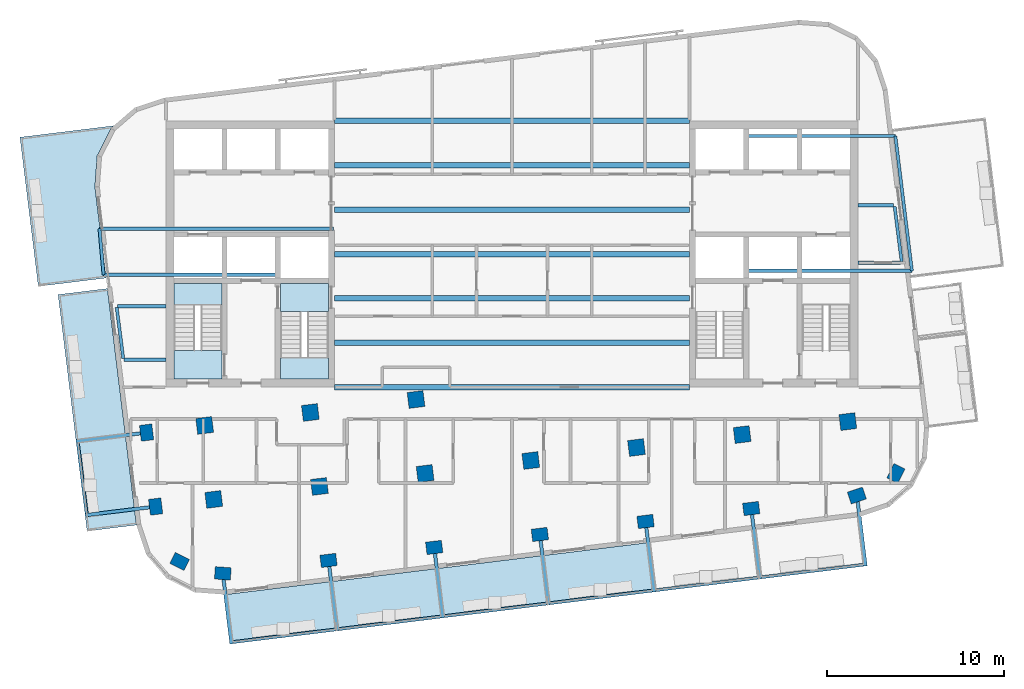
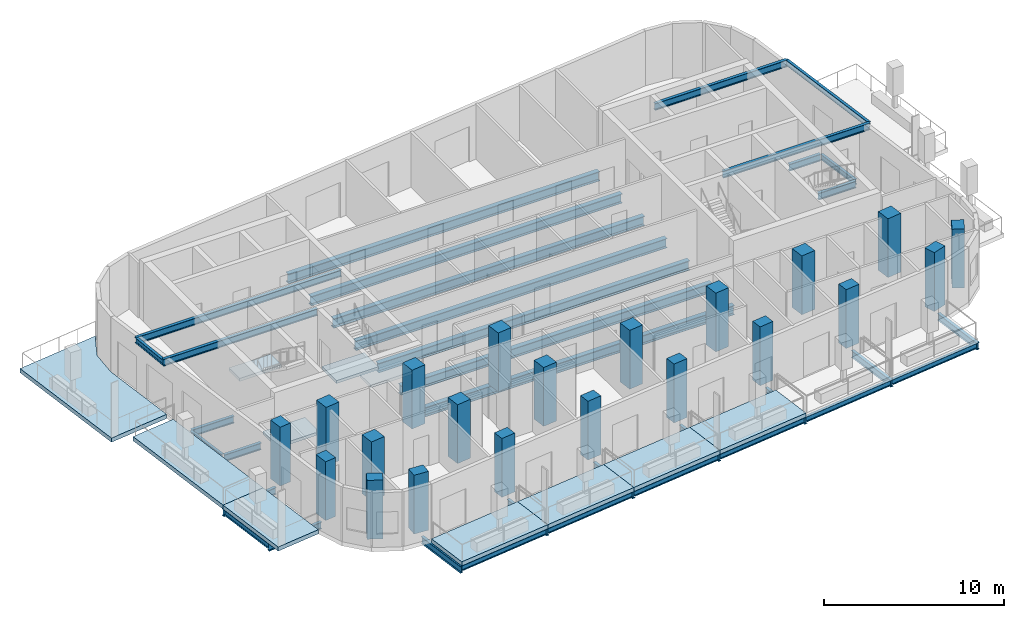
# One storey, part 1 of 11: 35 beams, 21 columns, 11 slabs, 2 elements without a shape of their own.
"""IFC4 building model written with IfcOpenShell, lengths in metres."""

from ifc_helpers import new_model, si_unit, direction, frame, origin, origin_2d, place, context, subcontext, project, spatial, polyline, rectangle, i_section, outline, extrude, material, layer, layer_set, material_profile, profile_set, type_object, element, aggregate, save


model = new_model("IFC4")

# Units and contexts
model_context = context("Model", 3, precision=1e-05, world=origin(), true_north=direction((0.0, 1.0)))
body_context = subcontext(model_context, "Body", "Model", "MODEL_VIEW")
ifc_project = project(units=[si_unit("LENGTHUNIT", "METRE"), si_unit("AREAUNIT", "SQUARE_METRE"), si_unit("VOLUMEUNIT", "CUBIC_METRE"), si_unit("PLANEANGLEUNIT", "RADIAN"), si_unit("MASSUNIT", "GRAM", prefix="KILO")], contexts=[model_context])

# Site, building, storey
site_placement = place(None, origin())
site = spatial("IfcSite", under=ifc_project, at=site_placement, CompositionType="ELEMENT")
building_placement = place(site_placement, origin())
building = spatial("IfcBuilding", under=site, at=building_placement, Name="Torana Hotel and Residences", CompositionType="ELEMENT")
storey_placement = place(building_placement, frame((0.0, 0.0, 326.60009765625)))
storey = spatial("IfcBuildingStorey", under=building, at=storey_placement, Name="L86", CompositionType="ELEMENT", Elevation=326.60009765625)

# Columns
ifc_material_1 = material(Name="Concrete C45/55", Category="concrete")
ifc_material_profile_1 = material_profile(ifc_material_1, rectangle(XDim=0.89990234375, YDim=0.699951171875, at=origin_2d()), Name="RC 900x700")
ifc_profile_set_1 = profile_set([ifc_material_profile_1], Name="Concrete C45/55")
column_type_1 = type_object("IfcColumnType", Name="COLUMN RC 900x700 C45/55", PredefinedType="COLUMN", material=ifc_profile_set_1)
for number, where, z_axis, x_axis, name in (
    (1, (-20.593017578125, -17.56201171875, 0.0), (0.0, 0.0, 1.0), (-0.121869343405, 0.992546151641, 0.0), "Column L86"),
    (2, (-20.0810546875, -21.73095703125, 0.0), (0.0, 0.0, 1.0), (-0.121869343405, 0.992546151641, 0.0), "Column L86"),
    (3, (-18.72802734375, -24.822998046875, 0.0), (0.0, 0.0, 1.0), (-0.892978943411, 0.450098441037, 0.0), "Column L86"),
    (4, (-16.2939453125, -25.4970703125, 0.0), (0.0, 0.0, 1.0), (-0.997251478385, 0.074091084885, 0.0), "Column L86"),
    (5, (-10.337890625, -24.76611328125, 0.0), (0.0, 0.0, 1.0), (0.992546151641, 0.121869343405, 0.0), "Column L86"),
    (6, (-4.383056640625, -24.034912109375, 0.0), (0.0, 0.0, 1.0), (0.992546151641, 0.121869343405, 0.0), "Column L86"),
    (7, (1.572021484375, -23.303955078125, 0.0), (0.0, 0.0, 1.0), (0.992546151641, 0.121869343405, 0.0), "Column L86"),
    (8, (7.527099609375, -22.572998046875, 0.0), (0.0, 0.0, 1.0), (0.992546151641, 0.121869343405, 0.0), "Column L86"),
    (9, (13.48291015625, -21.841064453125, 0.0), (0.0, 0.0, 1.0), (0.992546151641, 0.121869343405, 0.0), "Column L86"),
    (10, (19.43798828125, -21.110107421875, 0.0), (0.0, 0.0, 1.0), (0.949693660318, 0.313180381813, 0.0), "Column L86"),
    (11, (21.635986328125, -19.865966796875, 0.0), (0.0, 0.0, 1.0), (0.450098441037, 0.892978943411, 0.0), "Column L86"),
):
    element("IfcColumn", number, at=place(storey_placement, frame(where, z_axis=z_axis, x_axis=x_axis)), inside=storey, type_object=column_type_1, Name=name, PredefinedType="COLUMN", context=body_context, shape_type="SweptSolid", body=[
        extrude(rectangle(XDim=0.89990234375, YDim=0.699951171875, at=origin_2d()), origin(), (0.0, 0.0, 1.0), 4.0),
    ])
ifc_material_2 = material(Name="Concrete C45/55", Category="concrete")
ifc_material_profile_2 = material_profile(ifc_material_2, rectangle(XDim=0.89990234375, YDim=0.89990234375, at=origin_2d()), Name="RC 900x900")
ifc_profile_set_2 = profile_set([ifc_material_profile_2], Name="Concrete C45/55")
column_type_2 = type_object("IfcColumnType", Name="COLUMN RC 900x900 C45/55", PredefinedType="COLUMN", material=ifc_profile_set_2)
for number, where, z_axis, x_axis, name in (
    (12, (-17.31689453125, -17.159912109375, 0.0), (0.0, 0.0, 1.0), (0.992546151641, 0.121869343405, 0.0), "Column L86"),
    (13, (-16.805908203125, -21.3291015625, 0.0), (0.0, 0.0, 1.0), (0.992546151641, 0.121869343405, 0.0), "Column L86"),
    (14, (-11.362060546875, -16.428955078125, 0.0), (0.0, 0.0, 1.0), (0.992546151641, 0.121869343405, 0.0), "Column L86"),
    (15, (-10.85009765625, -20.597900390625, 0.0), (0.0, 0.0, 1.0), (0.992546151641, 0.121869343405, 0.0), "Column L86"),
    (16, (-5.406982421875, -15.697998046875, 0.0), (0.0, 0.0, 1.0), (0.992546151641, 0.121869343405, 0.0), "Column L86"),
    (17, (-4.89501953125, -19.865966796875, 0.0), (0.0, 0.0, 1.0), (0.992546151641, 0.121869343405, 0.0), "Column L86"),
    (18, (1.06005859375, -19.135009765625, 0.0), (0.0, 0.0, 1.0), (0.992546151641, 0.121869343405, 0.0), "Column L86"),
    (19, (7.01611328125, -18.404052734375, 0.0), (0.0, 0.0, 1.0), (0.992546151641, 0.121869343405, 0.0), "Column L86"),
    (20, (12.970947265625, -17.673095703125, 0.0), (0.0, 0.0, 1.0), (0.992546151641, 0.121869343405, 0.0), "Column L86"),
    (21, (18.926025390625, -16.94189453125, 0.0), (0.0, 0.0, 1.0), (0.992546151641, 0.121869343405, 0.0), "Column L86"),
):
    element("IfcColumn", number, at=place(storey_placement, frame(where, z_axis=z_axis, x_axis=x_axis)), inside=storey, type_object=column_type_2, Name=name, PredefinedType="COLUMN", context=body_context, shape_type="SweptSolid", body=[
        extrude(rectangle(XDim=0.89990234375, YDim=0.89990234375, at=origin_2d()), origin(), (0.0, 0.0, 1.0), 4.0),
    ])

# Beams
ifc_material_3 = material(Name="Steel S355", Category="steel")
ifc_material_profile_3 = material_profile(ifc_material_3, i_section(OverallWidth=0.19287109375, OverallDepth=0.46728515625, WebThickness=0.011474609375, FlangeThickness=0.01953125, FilletRadius=0.01025390625, at=origin_2d()), Name="457x191x98 UB")
ifc_profile_set_3 = profile_set([ifc_material_profile_3], Name="Steel S355")
beam_type_1 = type_object("IfcBeamType", Name="BALCONY CANTILEVER BEAM 457x191x98 UB", PredefinedType="BEAM", material=ifc_profile_set_3)
beam_1_placement = place(storey_placement, frame((-16.251708984375, -25.84130859375, -0.513671875), z_axis=(0.12194557952, -0.992536788051, 0.0), x_axis=(0.992536788051, 0.12194557952, 0.0)))
element("IfcBeam", 22, at=beam_1_placement, inside=storey, type_object=beam_type_1, Name="Balcony cantilever beam", PredefinedType="BEAM", context=body_context, shape_type="SweptSolid", body=[
    extrude(i_section(OverallWidth=0.19287109375, OverallDepth=0.46728515625, WebThickness=0.011474609375, FlangeThickness=0.01953125, FilletRadius=0.01025390625, at=origin_2d()), origin(), (0.0, 0.0, 1.0), 3.65380859375),
])
beam_2_placement = place(storey_placement, frame((-10.296630859375, -25.103515625, -0.513671875), z_axis=(0.121727603609, -0.992563544827, 0.0), x_axis=(0.992563544827, 0.121727603609, 0.0)))
element("IfcBeam", 23, at=beam_2_placement, inside=storey, type_object=beam_type_1, Name="Balcony cantilever beam", PredefinedType="BEAM", context=body_context, shape_type="SweptSolid", body=[
    extrude(i_section(OverallWidth=0.19287109375, OverallDepth=0.46728515625, WebThickness=0.011474609375, FlangeThickness=0.01953125, FilletRadius=0.01025390625, at=origin_2d()), origin(), (0.0, 0.0, 1.0), 3.66015625),
])
beam_3_placement = place(storey_placement, frame((-4.341552734375, -24.37255859375, -0.513671875), z_axis=(0.121809442808, -0.992553504675, 0.0), x_axis=(0.992553504675, 0.121809442808, 0.0)))
element("IfcBeam", 24, at=beam_3_placement, inside=storey, type_object=beam_type_1, Name="Balcony cantilever beam", PredefinedType="BEAM", context=body_context, shape_type="SweptSolid", body=[
    extrude(i_section(OverallWidth=0.19287109375, OverallDepth=0.46728515625, WebThickness=0.011474609375, FlangeThickness=0.01953125, FilletRadius=0.01025390625, at=origin_2d()), origin(), (0.0, 0.0, 1.0), 3.659912109375),
])
for number, where, z_axis, x_axis, name in (
    (25, (1.61328125, -23.6416015625, -0.513671875), (0.121948950891, -0.99253637383, 0.0), (0.99253637383, 0.121948950891, 0.0), "Balcony cantilever beam"),
    (26, (7.568359375, -22.910400390625, -0.513671875), (0.122014669663, -0.992528297021, 0.0), (0.992528297021, 0.122014669663, 0.0), "Balcony cantilever beam"),
):
    element("IfcBeam", number, at=place(storey_placement, frame(where, z_axis=z_axis, x_axis=x_axis)), inside=storey, type_object=beam_type_1, Name=name, PredefinedType="BEAM", context=body_context, shape_type="SweptSolid", body=[
        extrude(i_section(OverallWidth=0.19287109375, OverallDepth=0.46728515625, WebThickness=0.011474609375, FlangeThickness=0.01953125, FilletRadius=0.01025390625, at=origin_2d()), origin(), (0.0, 0.0, 1.0), 3.65966796875),
    ])
beam_4_placement = place(storey_placement, frame((13.5244140625, -22.178466796875, -0.513671875), z_axis=(0.12179331453, -0.992555483858, 0.0), x_axis=(0.992555483858, 0.12179331453, 0.0)))
element("IfcBeam", 27, at=beam_4_placement, inside=storey, type_object=beam_type_1, Name="Balcony cantilever beam", PredefinedType="BEAM", context=body_context, shape_type="SweptSolid", body=[
    extrude(i_section(OverallWidth=0.19287109375, OverallDepth=0.46728515625, WebThickness=0.011474609375, FlangeThickness=0.01953125, FilletRadius=0.01025390625, at=origin_2d()), origin(), (0.0, 0.0, 1.0), 3.660400390625),
])
beam_5_placement = place(storey_placement, frame((19.480224609375, -21.454345703125, -0.513671875), z_axis=(0.12183008487, -0.992550971195, 0.0), x_axis=(0.992550971195, 0.12183008487, 0.0)))
element("IfcBeam", 28, at=beam_5_placement, inside=storey, type_object=beam_type_1, Name="Balcony cantilever beam", PredefinedType="BEAM", context=body_context, shape_type="SweptSolid", body=[
    extrude(i_section(OverallWidth=0.19287109375, OverallDepth=0.46728515625, WebThickness=0.011474609375, FlangeThickness=0.01953125, FilletRadius=0.01025390625, at=origin_2d()), origin(), (0.0, 0.0, 1.0), 3.653076171875),
])
for number, where, z_axis, x_axis, name in (
    (29, (-20.930419921875, -17.603515625, -0.513671875), (-0.992537365838, -0.121940876722, 0.0), (0.121940876722, -0.992537365838, 0.0), "Balcony cantilever beam"),
    (30, (-20.41845703125, -21.7724609375, -0.513671875), (-0.992545437366, -0.121875160566, 0.0), (0.121875160566, -0.992545437366, 0.0), "Balcony cantilever beam"),
):
    element("IfcBeam", number, at=place(storey_placement, frame(where, z_axis=z_axis, x_axis=x_axis)), inside=storey, type_object=beam_type_1, Name=name, PredefinedType="BEAM", context=body_context, shape_type="SweptSolid", body=[
        extrude(i_section(OverallWidth=0.19287109375, OverallDepth=0.46728515625, WebThickness=0.011474609375, FlangeThickness=0.01953125, FilletRadius=0.01025390625, at=origin_2d()), origin(), (0.0, 0.0, 1.0), 3.659912109375),
    ])
beam_6_placement = place(storey_placement, frame((-19.489990234375, -13.449951171875, -0.513671875), z_axis=(-1.0, 0.0, 0.0), x_axis=(0.0, -1.0, 0.0)))
element("IfcBeam", 31, at=beam_6_placement, inside=storey, type_object=beam_type_1, Name="Balcony cantilever beam", PredefinedType="BEAM", context=body_context, shape_type="SweptSolid", body=[
    extrude(i_section(OverallWidth=0.19287109375, OverallDepth=0.46728515625, WebThickness=0.011474609375, FlangeThickness=0.01953125, FilletRadius=0.01025390625, at=origin_2d()), origin(), (0.0, 0.0, 1.0), 2.360107421875),
])
beam_7_placement = place(storey_placement, frame((-19.489990234375, -10.449951171875, -0.513671875), z_axis=(-1.0, 0.0, 0.0), x_axis=(0.0, -1.0, 0.0)))
element("IfcBeam", 32, at=beam_7_placement, inside=storey, type_object=beam_type_1, Name="Balcony cantilever beam", PredefinedType="BEAM", context=body_context, shape_type="SweptSolid", body=[
    extrude(i_section(OverallWidth=0.19287109375, OverallDepth=0.46728515625, WebThickness=0.011474609375, FlangeThickness=0.01953125, FilletRadius=0.01025390625, at=origin_2d()), origin(), (0.0, 0.0, 1.0), 2.728515625),
])
beam_8_placement = place(storey_placement, frame((19.489990234375, -8.0, -0.513671875), z_axis=(1.0, 0.0, 0.0), x_axis=(0.0, 1.0, 0.0)))
element("IfcBeam", 33, at=beam_8_placement, inside=storey, type_object=beam_type_1, Name="Balcony cantilever beam", PredefinedType="BEAM", context=body_context, shape_type="SweptSolid", body=[
    extrude(i_section(OverallWidth=0.19287109375, OverallDepth=0.46728515625, WebThickness=0.011474609375, FlangeThickness=0.01953125, FilletRadius=0.01025390625, at=origin_2d()), origin(), (0.0, 0.0, 1.0), 2.41552734375),
])
beam_9_placement = place(storey_placement, frame((19.489990234375, -4.75, -0.513671875), z_axis=(1.0, 0.0, 0.0), x_axis=(0.0, 1.0, 0.0)))
element("IfcBeam", 34, at=beam_9_placement, inside=storey, type_object=beam_type_1, Name="Balcony cantilever beam", PredefinedType="BEAM", context=body_context, shape_type="SweptSolid", body=[
    extrude(i_section(OverallWidth=0.19287109375, OverallDepth=0.46728515625, WebThickness=0.011474609375, FlangeThickness=0.01953125, FilletRadius=0.01025390625, at=origin_2d()), origin(), (0.0, 0.0, 1.0), 2.016357421875),
])
beam_10_placement = place(storey_placement, frame((-23.013916015625, -8.669921875, 3.486328125), z_axis=(1.0, 0.0, 0.0), x_axis=(0.0, 1.0, 0.0)))
element("IfcBeam", 35, at=beam_10_placement, inside=storey, type_object=beam_type_1, Name="Balcony cantilever beam", PredefinedType="BEAM", context=body_context, shape_type="SweptSolid", body=[
    extrude(i_section(OverallWidth=0.19287109375, OverallDepth=0.46728515625, WebThickness=0.011474609375, FlangeThickness=0.01953125, FilletRadius=0.01025390625, at=origin_2d()), origin(), (0.0, 0.0, 1.0), 9.913818359375),
])
beam_11_placement = place(storey_placement, frame((-23.2451171875, -6.070068359375, 3.486328125), z_axis=(1.0, 0.0, 0.0), x_axis=(0.0, 1.0, 0.0)))
element("IfcBeam", 36, at=beam_11_placement, inside=storey, type_object=beam_type_1, Name="Balcony cantilever beam", PredefinedType="BEAM", context=body_context, shape_type="SweptSolid", body=[
    extrude(i_section(OverallWidth=0.19287109375, OverallDepth=0.46728515625, WebThickness=0.011474609375, FlangeThickness=0.01953125, FilletRadius=0.01025390625, at=origin_2d()), origin(), (0.0, 0.0, 1.0), 13.195068359375),
])
beam_12_placement = place(storey_placement, frame((22.537353515625, -8.449951171875, 3.486328125), z_axis=(-1.0, 0.0, 0.0), x_axis=(0.0, -1.0, 0.0)))
element("IfcBeam", 37, at=beam_12_placement, inside=storey, type_object=beam_type_1, Name="Balcony cantilever beam", PredefinedType="BEAM", context=body_context, shape_type="SweptSolid", body=[
    extrude(i_section(OverallWidth=0.19287109375, OverallDepth=0.46728515625, WebThickness=0.011474609375, FlangeThickness=0.01953125, FilletRadius=0.01025390625, at=origin_2d()), origin(), (0.0, 0.0, 1.0), 9.437255859375),
])
beam_13_placement = place(storey_placement, frame((21.60400390625, -0.85009765625, 3.486328125), z_axis=(-1.0, 0.0, 0.0), x_axis=(0.0, -1.0, 0.0)))
element("IfcBeam", 38, at=beam_13_placement, inside=storey, type_object=beam_type_1, Name="Balcony cantilever beam", PredefinedType="BEAM", context=body_context, shape_type="SweptSolid", body=[
    extrude(i_section(OverallWidth=0.19287109375, OverallDepth=0.46728515625, WebThickness=0.011474609375, FlangeThickness=0.01953125, FilletRadius=0.01025390625, at=origin_2d()), origin(), (0.0, 0.0, 1.0), 8.50390625),
])
ifc_material_4 = material(Name="Steel S355", Category="steel")
ifc_material_profile_4 = material_profile(ifc_material_4, i_section(OverallWidth=0.173095703125, OverallDepth=0.36328125, WebThickness=0.009033203125, FlangeThickness=0.015625, FilletRadius=0.01025390625, at=origin_2d()), Name="356x171x67 UB")
ifc_profile_set_4 = profile_set([ifc_material_profile_4], Name="Steel S355")
beam_type_2 = type_object("IfcBeamType", Name="BALCONY TIP BEAM 356x171x67 UB", PredefinedType="BEAM", material=ifc_profile_set_4)
for number, where, z_axis, x_axis, name in (
    (39, (-9.927490234375, -28.65869140625, -0.4619140625), (-0.992545044936, -0.121878356459, 0.0), (0.121878356459, -0.992545044936, 0.0), "Balcony tip beam"),
    (40, (-3.97216796875, -27.92724609375, -0.4619140625), (-0.992540010453, -0.121919348955, 0.0), (0.121919348955, -0.992540010453, 0.0), "Balcony tip beam"),
    (41, (1.983154296875, -27.196044921875, -0.4619140625), (-0.992545044936, -0.121878356459, 0.0), (0.121878356459, -0.992545044936, 0.0), "Balcony tip beam"),
    (42, (7.9384765625, -26.46484375, -0.4619140625), (-0.992545044936, -0.121878356459, 0.0), (0.121878356459, -0.992545044936, 0.0), "Balcony tip beam"),
):
    element("IfcBeam", number, at=place(storey_placement, frame(where, z_axis=z_axis, x_axis=x_axis)), inside=storey, type_object=beam_type_2, Name=name, PredefinedType="BEAM", context=body_context, shape_type="SweptSolid", body=[
        extrude(i_section(OverallWidth=0.173095703125, OverallDepth=0.36328125, WebThickness=0.009033203125, FlangeThickness=0.015625, FilletRadius=0.01025390625, at=origin_2d()), origin(), (0.0, 0.0, 1.0), 5.8671875),
    ])
beam_14_placement = place(storey_placement, frame((13.8935546875, -25.733642578125, -0.4619140625), z_axis=(-0.992544426795, -0.121883390327, 0.0), x_axis=(0.121883390327, -0.992544426795, 0.0)))
element("IfcBeam", 43, at=beam_14_placement, inside=storey, type_object=beam_type_2, Name="Balcony tip beam", PredefinedType="BEAM", context=body_context, shape_type="SweptSolid", body=[
    extrude(i_section(OverallWidth=0.173095703125, OverallDepth=0.36328125, WebThickness=0.009033203125, FlangeThickness=0.015625, FilletRadius=0.01025390625, at=origin_2d()), origin(), (0.0, 0.0, 1.0), 5.866943359375),
])
beam_15_placement = place(storey_placement, frame((19.848876953125, -25.00244140625, -0.4619140625), z_axis=(-0.992545044936, -0.121878356459, 0.0), x_axis=(0.121878356459, -0.992545044936, 0.0)))
element("IfcBeam", 44, at=beam_15_placement, inside=storey, type_object=beam_type_2, Name="Balcony tip beam", PredefinedType="BEAM", context=body_context, shape_type="SweptSolid", body=[
    extrude(i_section(OverallWidth=0.173095703125, OverallDepth=0.36328125, WebThickness=0.009033203125, FlangeThickness=0.015625, FilletRadius=0.01025390625, at=origin_2d()), origin(), (0.0, 0.0, 1.0), 5.8671875),
])
beam_16_placement = place(storey_placement, frame((-23.97314453125, -22.14208984375, -0.4619140625), z_axis=(-0.121906862374, 0.992541544171, 0.0), x_axis=(-0.992541544171, -0.121906862374, 0.0)))
element("IfcBeam", 45, at=beam_16_placement, inside=storey, type_object=beam_type_2, Name="Balcony tip beam", PredefinedType="BEAM", context=body_context, shape_type="SweptSolid", body=[
    extrude(i_section(OverallWidth=0.173095703125, OverallDepth=0.36328125, WebThickness=0.009033203125, FlangeThickness=0.015625, FilletRadius=0.01025390625, at=origin_2d()), origin(), (0.0, 0.0, 1.0), 4.0673828125),
])
beam_17_placement = place(storey_placement, frame((-21.90673828125, -13.383544921875, -0.4619140625), z_axis=(-0.127443407553, 0.991845843804, 0.0), x_axis=(-0.991845843804, -0.127443407553, 0.0)))
element("IfcBeam", 46, at=beam_17_placement, inside=storey, type_object=beam_type_2, Name="Balcony tip beam", PredefinedType="BEAM", context=body_context, shape_type="SweptSolid", body=[
    extrude(i_section(OverallWidth=0.173095703125, OverallDepth=0.36328125, WebThickness=0.009033203125, FlangeThickness=0.015625, FilletRadius=0.01025390625, at=origin_2d()), origin(), (0.0, 0.0, 1.0), 2.890869140625),
])
beam_18_placement = place(storey_placement, frame((21.9619140625, -7.93359375, -0.4619140625), z_axis=(-0.126940899221, 0.991910282286, 0.0), x_axis=(-0.991910282286, -0.126940899221, 0.0)))
element("IfcBeam", 47, at=beam_18_placement, inside=storey, type_object=beam_type_2, Name="Balcony tip beam", PredefinedType="BEAM", context=body_context, shape_type="SweptSolid", body=[
    extrude(i_section(OverallWidth=0.173095703125, OverallDepth=0.36328125, WebThickness=0.009033203125, FlangeThickness=0.015625, FilletRadius=0.01025390625, at=origin_2d()), origin(), (0.0, 0.0, 1.0), 3.142578125),
])
beam_19_placement = place(storey_placement, frame((-23.013916015625, -8.669921875, 3.5380859375), z_axis=(-0.088578973765, 0.99606915694, 0.0), x_axis=(-0.99606915694, -0.088578973765, 0.0)))
element("IfcBeam", 48, at=beam_19_placement, inside=storey, type_object=beam_type_2, Name="Balcony tip beam", PredefinedType="BEAM", context=body_context, shape_type="SweptSolid", body=[
    extrude(i_section(OverallWidth=0.173095703125, OverallDepth=0.36328125, WebThickness=0.009033203125, FlangeThickness=0.015625, FilletRadius=0.01025390625, at=origin_2d()), origin(), (0.0, 0.0, 1.0), 2.610107421875),
])
beam_20_placement = place(storey_placement, frame((22.537353515625, -8.449951171875, 3.5380859375), z_axis=(-0.1218957101, 0.992542913863, 0.0), x_axis=(-0.992542913863, -0.1218957101, 0.0)))
element("IfcBeam", 49, at=beam_20_placement, inside=storey, type_object=beam_type_2, Name="Balcony tip beam", PredefinedType="BEAM", context=body_context, shape_type="SweptSolid", body=[
    extrude(i_section(OverallWidth=0.173095703125, OverallDepth=0.36328125, WebThickness=0.009033203125, FlangeThickness=0.015625, FilletRadius=0.01025390625, at=origin_2d()), origin(), (0.0, 0.0, 1.0), 7.656982421875),
])
ifc_material_5 = material(Name="Steel S355", Category="steel")
ifc_material_profile_5 = material_profile(ifc_material_5, i_section(OverallWidth=0.311279296875, OverallDepth=0.6357421875, WebThickness=0.018310546875, FlangeThickness=0.031494140625, FilletRadius=0.0166015625, at=origin_2d()), Name="610x305x238 UB")
ifc_profile_set_5 = profile_set([ifc_material_profile_5], Name="Steel S355")
beam_type_3 = type_object("IfcBeamType", Name="STEEL GIRDER 610x305x238 UB", PredefinedType="BEAM", material=ifc_profile_set_5)
for number, where, z_axis, x_axis, name in (
    (50, (-10.0, -15.0, -0.597900390625), (1.0, 0.0, 0.0), (0.0, 1.0, 0.0), "Floor girder"),
    (51, (-10.0, -12.5, -0.597900390625), (1.0, 0.0, 0.0), (0.0, 1.0, 0.0), "Floor girder"),
    (52, (-10.0, -10.0, -0.597900390625), (1.0, 0.0, 0.0), (0.0, 1.0, 0.0), "Floor girder"),
    (53, (-10.0, -7.5, -0.597900390625), (1.0, 0.0, 0.0), (0.0, 1.0, 0.0), "Floor girder"),
    (54, (-10.0, -5.0, -0.597900390625), (1.0, 0.0, 0.0), (0.0, 1.0, 0.0), "Floor girder"),
    (55, (-10.0, -2.5, -0.597900390625), (1.0, 0.0, 0.0), (0.0, 1.0, 0.0), "Floor girder"),
    (56, (-10.0, 0.0, -0.597900390625), (1.0, 0.0, 0.0), (0.0, 1.0, 0.0), "Floor girder"),
):
    element("IfcBeam", number, at=place(storey_placement, frame(where, z_axis=z_axis, x_axis=x_axis)), inside=storey, type_object=beam_type_3, Name=name, PredefinedType="BEAM", context=body_context, shape_type="SweptSolid", body=[
        extrude(i_section(OverallWidth=0.311279296875, OverallDepth=0.6357421875, WebThickness=0.018310546875, FlangeThickness=0.031494140625, FilletRadius=0.0166015625, at=origin_2d()), origin(), (0.0, 0.0, 1.0), 20.0),
    ])

# Slabs
ifc_material_6 = material(Name="Concrete C40/50", Category="concrete")
ifc_layer_1 = layer(ifc_material_6, 0.280029296875)
ifc_layer_set_1 = layer_set([ifc_layer_1], Name="BAL1 BALCONY SLAB 280")
slab_type_1 = type_object("IfcSlabType", Name="BAL1 BALCONY SLAB 280", PredefinedType="USERDEFINED", material=ifc_layer_set_1)
slab_1_placement = place(storey_placement, frame((0.0, 0.0, -0.280029296875)))
element("IfcSlab", 57, at=slab_1_placement, inside=storey, type_object=slab_type_1, Name="Balcony 01", ObjectType="BALCONY", PredefinedType="USERDEFINED", context=body_context, shape_type="SweptSolid", body=[
    extrude(outline(polyline([(-15.80615234375, -29.4677734375), (-9.85107421875, -28.736572265625), (-10.192138671875, -25.957275390625), (-16.1474609375, -26.6884765625), (-15.80615234375, -29.4677734375)])), origin(), (0.0, 0.0, 1.0), 0.280029296875),
])
slab_2_placement = place(storey_placement, frame((0.0, 0.0, -0.280029296875)))
element("IfcSlab", 58, at=slab_2_placement, inside=storey, type_object=slab_type_1, Name="Balcony 02", ObjectType="BALCONY", PredefinedType="USERDEFINED", context=body_context, shape_type="SweptSolid", body=[
    extrude(outline(polyline([(-9.85107421875, -28.736572265625), (-3.895751953125, -28.005126953125), (-4.23681640625, -25.22607421875), (-10.192138671875, -25.957275390625), (-9.85107421875, -28.736572265625)])), origin(), (0.0, 0.0, 1.0), 0.280029296875),
])
slab_3_placement = place(storey_placement, frame((0.0, 0.0, -0.280029296875)))
element("IfcSlab", 59, at=slab_3_placement, inside=storey, type_object=slab_type_1, Name="Balcony 03", ObjectType="BALCONY", PredefinedType="USERDEFINED", context=body_context, shape_type="SweptSolid", body=[
    extrude(outline(polyline([(-3.895751953125, -28.005126953125), (2.0595703125, -27.27392578125), (1.718505859375, -24.494873046875), (-4.23681640625, -25.22607421875), (-3.895751953125, -28.005126953125)])), origin(), (0.0, 0.0, 1.0), 0.280029296875),
])
slab_4_placement = place(storey_placement, frame((0.0, 0.0, -0.280029296875)))
element("IfcSlab", 60, at=slab_4_placement, inside=storey, type_object=slab_type_1, Name="Balcony 04", ObjectType="BALCONY", PredefinedType="USERDEFINED", context=body_context, shape_type="SweptSolid", body=[
    extrude(outline(polyline([(2.0595703125, -27.27392578125), (8.014892578125, -26.542724609375), (7.673583984375, -23.763671875), (1.718505859375, -24.494873046875), (2.0595703125, -27.27392578125)])), origin(), (0.0, 0.0, 1.0), 0.280029296875),
])
slab_5_placement = place(storey_placement, frame((0.0, 0.0, -0.280029296875)))
element("IfcSlab", 61, at=slab_5_placement, inside=storey, type_object=slab_type_1, Name="Balcony 07", ObjectType="BALCONY", PredefinedType="USERDEFINED", context=body_context, shape_type="SweptSolid", body=[
    extrude(outline(polyline([(-23.94140625, -23.11181640625), (-21.162353515625, -22.7705078125), (-21.783935546875, -17.70849609375), (-24.56298828125, -18.0498046875), (-23.94140625, -23.11181640625)])), origin(), (0.0, 0.0, 1.0), 0.280029296875),
])
slab_6_placement = place(storey_placement, frame((0.0, 0.0, -0.280029296875)))
element("IfcSlab", 62, at=slab_6_placement, inside=storey, type_object=slab_type_1, Name="Balcony 08", ObjectType="BALCONY", PredefinedType="USERDEFINED", context=body_context, shape_type="SweptSolid", body=[
    extrude(outline(polyline([(-24.56298828125, -18.0498046875), (-21.783935546875, -17.70849609375), (-22.79833984375, -9.445556640625), (-25.57763671875, -9.786865234375), (-24.56298828125, -18.0498046875)])), origin(), (0.0, 0.0, 1.0), 0.280029296875),
])
slab_7_placement = place(storey_placement, frame((0.0, 0.0, -0.280029296875)))
element("IfcSlab", 63, at=slab_7_placement, inside=storey, type_object=slab_type_1, Name="Balcony 09", ObjectType="BALCONY", PredefinedType="USERDEFINED", context=body_context, shape_type="SweptSolid", body=[
    extrude(outline(polyline([(-26.69287109375, -9.319091796875), (-22.87158203125, -8.85009765625), (-23.502197265625, -3.713623046875), (-23.3720703125, -1.962646484375), (-22.581787109375, -0.394775390625), (-22.43701171875, -0.27001953125), (-27.724365234375, -0.919189453125), (-26.69287109375, -9.319091796875)])), origin(), (0.0, 0.0, 1.0), 0.280029296875),
])

# Stair, slabs
ifc_material_7 = material(Name="Concrete C40/50 precast", Category="concrete")
stair_type_1 = type_object("IfcStairType", Name="STAIR ST1 HALF TURN 1200", PredefinedType="HALF_TURN_STAIR", material=ifc_material_7)
stair_1_placement = place(storey_placement, origin())
stair_1 = element("IfcStair", 64, at=stair_1_placement, inside=storey, type_object=stair_type_1, Name="Stair ST1 L86", PredefinedType="HALF_TURN_STAIR")
ifc_material_8 = material(Name="Concrete C40/50 precast", Category="concrete")
ifc_layer_2 = layer(ifc_material_8, 0.199951171875)
ifc_layer_set_2 = layer_set([ifc_layer_2], Name="STAIR LANDING 200")
slab_type_2 = type_object("IfcSlabType", Name="STAIR LANDING 200", PredefinedType="LANDING", material=ifc_layer_set_2)
slab_8_placement = place(storey_placement, frame((0.0, 0.0, 1.7998046875)))
slab_8 = element("IfcSlab", 65, at=slab_8_placement, type_object=slab_type_2, Name="ST1 landing 1", PredefinedType="LANDING", context=body_context, shape_type="SweptSolid", body=[
    extrude(outline(polyline([(-13.050048828125, -14.550048828125), (-10.35009765625, -14.550048828125), (-10.35009765625, -13.35009765625), (-13.050048828125, -13.35009765625), (-13.050048828125, -14.550048828125)])), origin(), (0.0, 0.0, 1.0), 0.2001953125),
])
slab_9_placement = place(storey_placement, frame((0.0, 0.0, -0.2001953125)))
slab_9 = element("IfcSlab", 66, at=slab_9_placement, type_object=slab_type_2, Name="ST1 landing 2", PredefinedType="LANDING", context=body_context, shape_type="SweptSolid", body=[
    extrude(outline(polyline([(-13.050048828125, -10.75), (-10.35009765625, -10.75), (-10.35009765625, -9.14990234375), (-13.050048828125, -9.14990234375), (-13.050048828125, -10.75)])), origin(), (0.0, 0.0, 1.0), 0.2001953125),
])
aggregate(stair_1, [slab_8, slab_9])

ifc_material_9 = material(Name="Concrete C40/50 precast", Category="concrete")
stair_type_2 = type_object("IfcStairType", Name="STAIR ST2 HALF TURN 1200", PredefinedType="HALF_TURN_STAIR", material=ifc_material_9)
stair_2_placement = place(storey_placement, origin())
stair_2 = element("IfcStair", 67, at=stair_2_placement, inside=storey, type_object=stair_type_2, Name="Stair ST2 L86", PredefinedType="HALF_TURN_STAIR")
slab_10_placement = place(storey_placement, frame((0.0, 0.0, 1.7998046875)))
slab_10 = element("IfcSlab", 68, at=slab_10_placement, type_object=slab_type_2, Name="ST2 landing 1", PredefinedType="LANDING", context=body_context, shape_type="SweptSolid", body=[
    extrude(outline(polyline([(-19.050048828125, -10.35009765625), (-16.35009765625, -10.35009765625), (-16.35009765625, -9.14990234375), (-19.050048828125, -9.14990234375), (-19.050048828125, -10.35009765625)])), origin(), (0.0, 0.0, 1.0), 0.2001953125),
])
slab_11_placement = place(storey_placement, frame((0.0, 0.0, -0.2001953125)))
slab_11 = element("IfcSlab", 69, at=slab_11_placement, type_object=slab_type_2, Name="ST2 landing 2", PredefinedType="LANDING", context=body_context, shape_type="SweptSolid", body=[
    extrude(outline(polyline([(-19.050048828125, -14.550048828125), (-16.35009765625, -14.550048828125), (-16.35009765625, -12.949951171875), (-19.050048828125, -12.949951171875), (-19.050048828125, -14.550048828125)])), origin(), (0.0, 0.0, 1.0), 0.2001953125),
])
aggregate(stair_2, [slab_10, slab_11])

save(model, "model.ifc")
